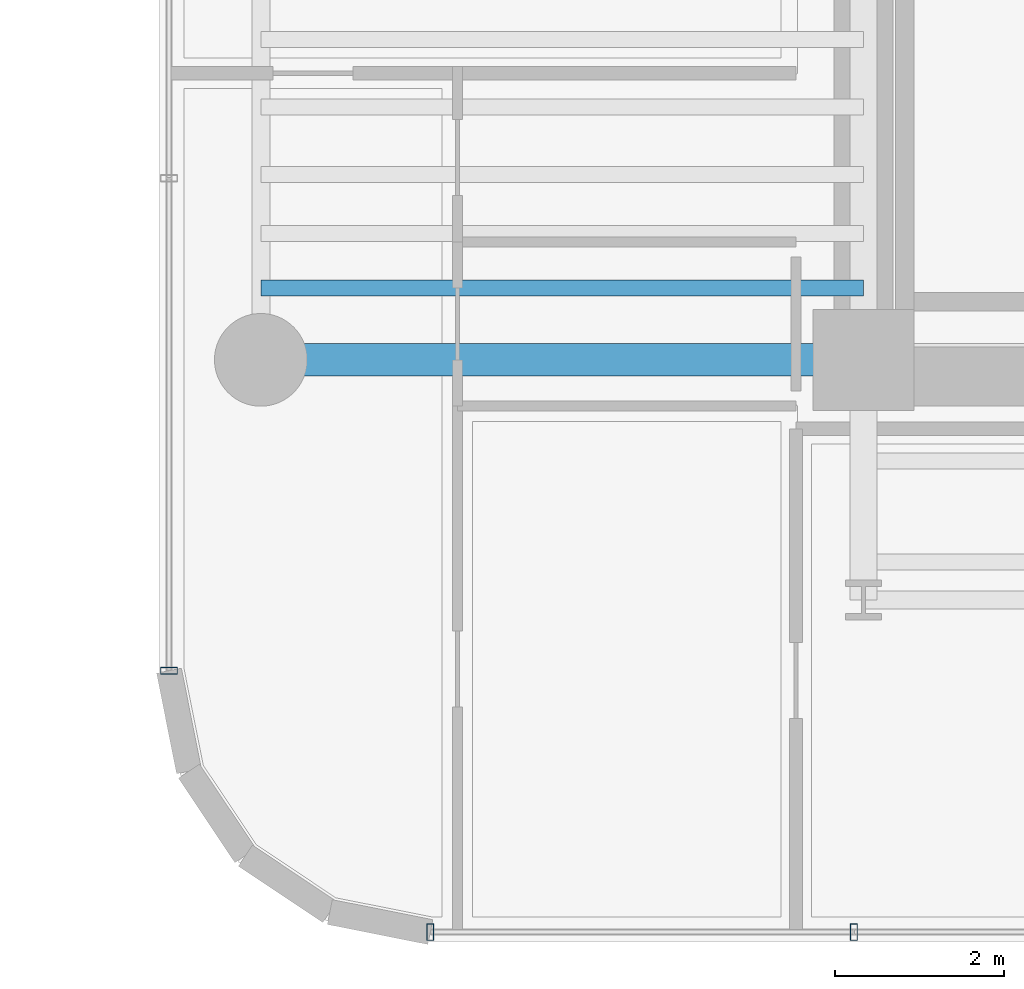
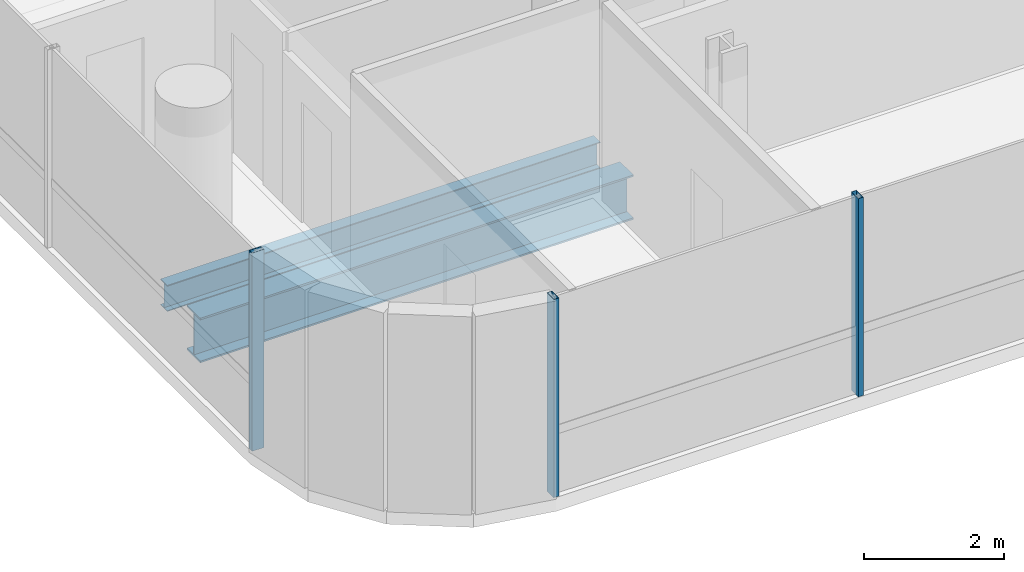
# One storey, part 2 of 36: 3 members, 2 beams, 2 elements without a shape of their own.
"""IFC4 building model written with IfcOpenShell, lengths in metres."""

from ifc_helpers import new_model, si_unit, direction, frame, origin, origin_2d, place, context, subcontext, project, spatial, hollow_rectangle, i_section, extrude, source, transform, mapped, material, material_profile, profile_set, type_object, element, aggregate, save


model = new_model("IFC4")

# Units and contexts
model_context = context("Model", 3, precision=1e-05, world=origin(), true_north=direction((0.0, 1.0)))
body_context = subcontext(model_context, "Body", "Model", "MODEL_VIEW")
ifc_project = project(units=[si_unit("LENGTHUNIT", "METRE"), si_unit("AREAUNIT", "SQUARE_METRE"), si_unit("VOLUMEUNIT", "CUBIC_METRE"), si_unit("PLANEANGLEUNIT", "RADIAN"), si_unit("MASSUNIT", "GRAM", prefix="KILO")], contexts=[model_context])

# Site, building, storey
site_placement = place(None, origin())
site = spatial("IfcSite", under=ifc_project, at=site_placement, CompositionType="ELEMENT")
building_placement = place(site_placement, origin())
building = spatial("IfcBuilding", under=site, at=building_placement, Name="Valdorenza Pilgrim Sanctuary Tower", CompositionType="ELEMENT")
storey_placement = place(building_placement, frame((0.0, 0.0, 109.39990234375)))
storey = spatial("IfcBuildingStorey", under=building, at=storey_placement, Name="L27", CompositionType="ELEMENT", Elevation=109.39990234375)

# Beams
ifc_material_1 = material(Name="Steel ASTM A992 Grade 50", Category="steel")
ifc_material_profile_1 = material_profile(ifc_material_1, i_section(OverallWidth=0.382080078125, OverallDepth=0.779052734375, WebThickness=0.01806640625, FlangeThickness=0.030029296875, at=origin_2d()), Name="W30X191")
ifc_profile_set_1 = profile_set([ifc_material_profile_1], Name="Steel ASTM A992 Grade 50")
beam_type_1 = type_object("IfcBeamType", Name="STR-BM-GRD-W30", PredefinedType="BEAM", material=ifc_profile_set_1)
shared_shape_1 = source(origin(), body_context, "Body", "SweptSolid", [
    extrude(i_section(OverallWidth=0.382080078125, OverallDepth=0.779052734375, WebThickness=0.01806640625, FlangeThickness=0.030029296875, at=origin_2d()), origin(), (0.0, 0.0, 1.0), 7.150146484375),
])
beam_1_placement = place(storey_placement, frame((-29.800048828125, -10.60009765625, -0.62939453125), z_axis=(1.0, 0.0, 0.0), x_axis=(0.0, 1.0, 0.0)))
element("IfcBeam", 1, at=beam_1_placement, inside=storey, type_object=beam_type_1, Name="L27 Floor Girder WA-XW-S1", PredefinedType="BEAM", context=body_context, shape_type="MappedRepresentation", body=[
    mapped(shared_shape_1, transform((0.0, 0.0, 0.0), x_axis=(1.0, 0.0, 0.0), y_axis=(0.0, 1.0, 0.0), z_axis=(0.0, 0.0, 1.0), scale=1.0)),
])
ifc_material_profile_2 = material_profile(ifc_material_1, i_section(OverallWidth=0.19091796875, OverallDepth=0.45703125, WebThickness=0.009033203125, FlangeThickness=0.014404296875, at=origin_2d()), Name="W18X50")
ifc_profile_set_2 = profile_set([ifc_material_profile_2], Name="Steel ASTM A992 Grade 50")
beam_type_2 = type_object("IfcBeamType", Name="STR-BM-JST-W18B", PredefinedType="JOIST", material=ifc_profile_set_2)
shared_shape_2 = source(origin(), body_context, "Body", "SweptSolid", [
    extrude(i_section(OverallWidth=0.19091796875, OverallDepth=0.45703125, WebThickness=0.009033203125, FlangeThickness=0.014404296875, at=origin_2d()), origin(), (0.0, 0.0, 1.0), 7.150146484375),
])
beam_2_placement = place(storey_placement, frame((-29.800048828125, -9.75, -0.468505859375), z_axis=(1.0, 0.0, 0.0), x_axis=(0.0, 1.0, 0.0)))
element("IfcBeam", 2, at=beam_2_placement, inside=storey, type_object=beam_type_2, Name="L27 Composite Floor Joist JST-WA-1", PredefinedType="JOIST", context=body_context, shape_type="MappedRepresentation", body=[
    mapped(shared_shape_2, transform((0.0, 0.0, 0.0), x_axis=(1.0, 0.0, 0.0), y_axis=(0.0, 1.0, 0.0), z_axis=(0.0, 0.0, 1.0), scale=1.0)),
])

# Curtain wall, member
ifc_material_2 = material(Name="Curtain-wall IGU glazing", Category="glass")
curtain_wall_type = type_object("IfcCurtainWallType", Name="CW-SYS-02", PredefinedType="NOTDEFINED", material=ifc_material_2)
curtain_wall_1_placement = place(storey_placement, origin())
curtain_wall_1 = element("IfcCurtainWall", 3, at=curtain_wall_1_placement, inside=storey, type_object=curtain_wall_type, Name="L27 Curtain Wall CW-L27-1-1S1", PredefinedType="NOTDEFINED")
ifc_material_3 = material(Name="Anodised aluminium AW-6060", Category="aluminium")
ifc_material_profile_3 = material_profile(ifc_material_3, hollow_rectangle(XDim=0.0849609375, YDim=0.199951171875, WallThickness=0.0048828125, at=origin_2d()), Name="ALU-M 200x85x5")
ifc_profile_set_3 = profile_set([ifc_material_profile_3], Name="Anodised aluminium AW-6060")
member_type = type_object("IfcMemberType", Name="CW-MUL-02", PredefinedType="MULLION", material=ifc_profile_set_3)
shared_shape_3 = source(origin(), body_context, "Body", "SweptSolid", [
    extrude(hollow_rectangle(XDim=0.0849609375, YDim=0.199951171875, WallThickness=0.0048828125, at=origin_2d()), origin(), (0.0, 0.0, 1.0), 3.460205078125),
])
member_1_placement = place(storey_placement, frame((-30.889892578125, -14.289306640625, 0.0), z_axis=(0.0, 0.0, 1.0), x_axis=(0.0, 1.0, 0.0)))
member_1 = element("IfcMember", 4, at=member_1_placement, type_object=member_type, Name="CW-L27-1-1S1 Mullion 1", PredefinedType="MULLION", context=body_context, shape_type="MappedRepresentation", body=[
    mapped(shared_shape_3, transform((0.0, 0.0, 0.0), x_axis=(1.0, 0.0, 0.0), y_axis=(0.0, 1.0, 0.0), z_axis=(0.0, 0.0, 1.0), scale=1.0)),
])
aggregate(curtain_wall_1, [member_1])

# Curtain wall, members
curtain_wall_2_placement = place(storey_placement, origin())
curtain_wall_2 = element("IfcCurtainWall", 5, at=curtain_wall_2_placement, inside=storey, type_object=curtain_wall_type, Name="L27 Curtain Wall CW-L27-1-46", PredefinedType="NOTDEFINED")
member_2_placement = place(storey_placement, frame((-22.76318359375, -17.389892578125, 0.0), z_axis=(0.0, 0.0, 1.0), x_axis=(-1.0, 0.0, 0.0)))
member_2 = element("IfcMember", 6, at=member_2_placement, type_object=member_type, Name="CW-L27-1-46 Mullion 3", PredefinedType="MULLION", context=body_context, shape_type="MappedRepresentation", body=[
    mapped(shared_shape_3, transform((0.0, 0.0, 0.0), x_axis=(1.0, 0.0, 0.0), y_axis=(0.0, 1.0, 0.0), z_axis=(0.0, 0.0, 1.0), scale=1.0)),
])
member_3_placement = place(storey_placement, frame((-27.789306640625, -17.389892578125, 0.0), z_axis=(0.0, 0.0, 1.0), x_axis=(-1.0, 0.0, 0.0)))
member_3 = element("IfcMember", 7, at=member_3_placement, type_object=member_type, Name="CW-L27-1-46 Mullion 4", PredefinedType="MULLION", context=body_context, shape_type="MappedRepresentation", body=[
    mapped(shared_shape_3, transform((0.0, 0.0, 0.0), x_axis=(1.0, 0.0, 0.0), y_axis=(0.0, 1.0, 0.0), z_axis=(0.0, 0.0, 1.0), scale=1.0)),
])
aggregate(curtain_wall_2, [member_2, member_3])

save(model, "model.ifc")
